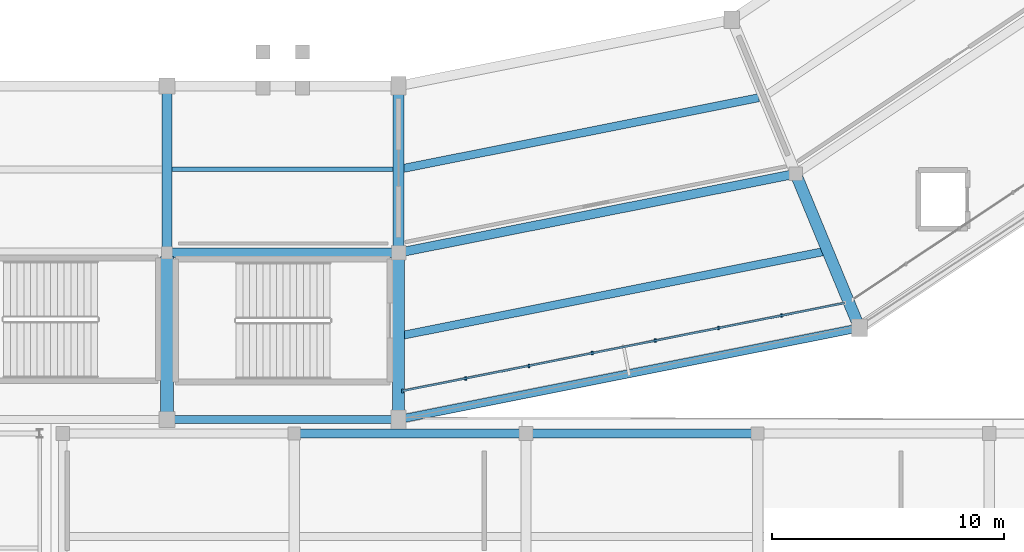
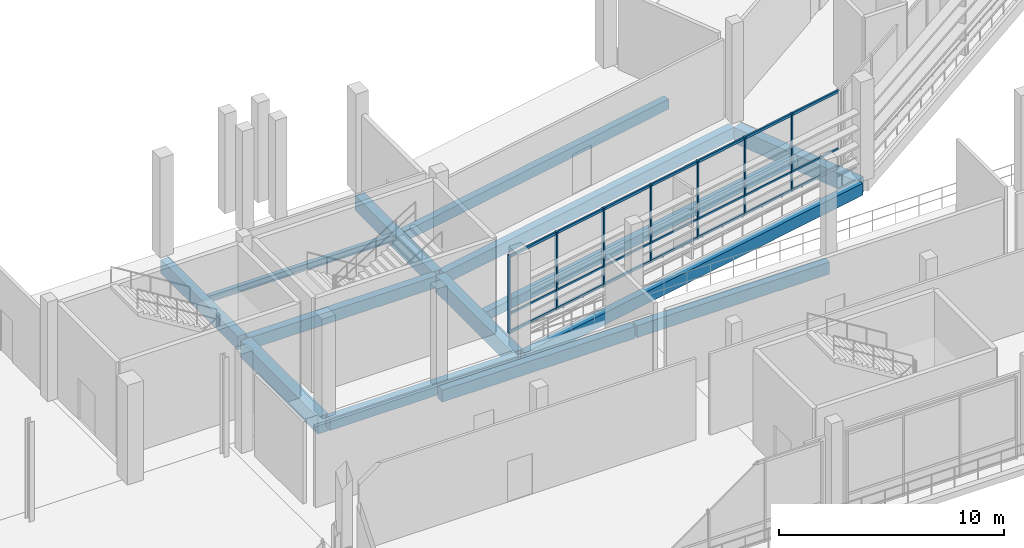
# One storey, part 32 of 111: 14 beams, 10 members, 1 element without a shape of its own.
"""IFC4 building model written with IfcOpenShell, lengths in metres."""

import ifcopenshell
import ifcopenshell.guid

model = None  # the IFC model being written
_history = None  # IfcOwnerHistory: only IFC2X3 demands one
_inside = {}  # id of a spatial element -> (the spatial element, [elements in it])
_under = {}  # id of a project, library or spatial element -> (it, [spatial elements below it])
_declared = {}  # id of a project -> (the project, [libraries it declares])
_typed = {}  # id of a type object -> (the type object, [elements of that type])
_made_of = {}  # id of a material, layer set ... -> (it, [elements and type objects made of it])


def new_model(schema):
    """Start an empty IFC model of exactly this schema.

    Asked for "IFC4X3", IfcOpenShell would pick the latest addendum, in which some entities
    have other attributes; the version numbers below select the first issue.
    IFC2X3 requires an IfcOwnerHistory on every rooted entity: one is made here for all.
    """
    global model, _history
    if schema == "IFC4X3":
        model = ifcopenshell.file(schema_version=(4, 3, 0, 0))
    else:
        model = ifcopenshell.file(schema=schema)
    _inside.clear()
    _under.clear()
    _declared.clear()
    _typed.clear()
    _made_of.clear()
    _history = None
    if model.schema == "IFC2X3":
        org = make("IfcOrganization", Name="unknown")
        user = make(
            "IfcPersonAndOrganization",
            ThePerson=make("IfcPerson", FamilyName="unknown"),
            TheOrganization=org,
        )
        app = make(
            "IfcApplication",
            ApplicationDeveloper=org,
            Version="unknown",
            ApplicationFullName="unknown",
            ApplicationIdentifier="unknown",
        )
        _history = make(
            "IfcOwnerHistory",
            OwningUser=user,
            OwningApplication=app,
            ChangeAction="ADDED",
            CreationDate=0,
        )
    return model


def make(cls, **values):
    """One entity of the class cls with the attributes given. An attribute that is None is left unset."""
    return model.create_entity(
        cls, **{name: value for name, value in values.items() if value is not None}
    )


def rooted(cls, **values):
    """An entity with a GlobalId (a new one), such as an element, a storey or a relation."""
    return make(cls, GlobalId=ifcopenshell.guid.new(), OwnerHistory=_history, **values)


def si_unit(unit_type, name, prefix=None):
    """IfcSIUnit, for example si_unit("LENGTHUNIT", "METRE", prefix="MILLI")."""
    return make("IfcSIUnit", UnitType=unit_type, Prefix=prefix, Name=name)


def assignment(units):
    """IfcUnitAssignment: the units of a project."""
    return None if units is None else make("IfcUnitAssignment", Units=units)


def point(xyz):
    """IfcCartesianPoint."""
    return None if xyz is None else make("IfcCartesianPoint", Coordinates=xyz)


def direction(xyz):
    """IfcDirection."""
    return None if xyz is None else make("IfcDirection", DirectionRatios=xyz)


def frame(location, z_axis=None, x_axis=None):
    """IfcAxis2Placement3D, a coordinate frame: its origin and axes. An axis left out is left unset."""
    return make(
        "IfcAxis2Placement3D",
        Location=point(location),
        Axis=direction(z_axis),
        RefDirection=direction(x_axis),
    )


def frame_2d(location, x_axis=None):
    """IfcAxis2Placement2D, a coordinate frame in the plane: its origin and x axis."""
    return make(
        "IfcAxis2Placement2D", Location=point(location), RefDirection=direction(x_axis)
    )


def origin():
    """The frame at (0, 0, 0) with its axes left unset."""
    return frame((0.0, 0.0, 0.0))


def origin_2d():
    """The frame at (0, 0) in the plane with its x axis left unset."""
    return frame_2d((0.0, 0.0))


def place(relative_to, where):
    """IfcLocalPlacement: puts the frame where relative to a parent placement (None: the world)."""
    return make(
        "IfcLocalPlacement", PlacementRelTo=relative_to, RelativePlacement=where
    )


def context(
    kind, dimensions, precision=None, world=None, true_north=None, identifier=None
):
    """IfcGeometricRepresentationContext, for example the 3D "Model" context."""
    return make(
        "IfcGeometricRepresentationContext",
        ContextIdentifier=identifier,
        ContextType=kind,
        CoordinateSpaceDimension=dimensions,
        Precision=precision,
        WorldCoordinateSystem=world,
        TrueNorth=true_north,
    )


def subcontext(parent, identifier, kind, view, scale=None):
    """IfcGeometricRepresentationSubContext, for example "Body" below "Model"."""
    return make(
        "IfcGeometricRepresentationSubContext",
        ContextIdentifier=identifier,
        ContextType=kind,
        ParentContext=parent,
        TargetScale=scale,
        TargetView=view,
    )


def project(units=None, contexts=None):
    """IfcProject with its units and contexts."""
    return rooted(
        "IfcProject",
        Name="project",
        RepresentationContexts=contexts,
        UnitsInContext=assignment(units),
    )


def spatial(cls, under=None, at=None, **own):
    """A site, building, storey or space (cls), placed at a placement, below another one or the project."""
    s = rooted(cls, ObjectPlacement=at, **own)
    if under is not None:
        _under.setdefault(under.id(), (under, []))[1].append(s)
    return s


def profile(cls, at=None, kind="AREA", **sizes):
    """A parametric profile (cls). Its sizes go by their IFC names, for example OverallWidth=200.0."""
    return make(cls, ProfileType=kind, Position=at, **sizes)


def rectangle(**sizes):
    """IfcRectangleProfileDef."""
    return profile("IfcRectangleProfileDef", **sizes)


def i_section(**sizes):
    """IfcIShapeProfileDef."""
    return profile("IfcIShapeProfileDef", **sizes)


def extrude(swept, where, along, depth):
    """IfcExtrudedAreaSolid: the profile swept, set in the frame where, extruded along a direction by depth."""
    return make(
        "IfcExtrudedAreaSolid",
        SweptArea=swept,
        Position=where,
        ExtrudedDirection=direction(along),
        Depth=depth,
    )


def shape(context_of_items, identifier, shape_type, items):
    """IfcShapeRepresentation: the items that make up one representation, for example the "Body"."""
    return make(
        "IfcShapeRepresentation",
        ContextOfItems=context_of_items,
        RepresentationIdentifier=identifier,
        RepresentationType=shape_type,
        Items=items,
    )


def material(Name=None, Category=None):
    """IfcMaterial."""
    return make("IfcMaterial", Name=Name, Category=Category)


def material_profile(
    of_material, cross_section, Name=None, Category=None, Priority=None
):
    """IfcMaterialProfile: a cross section and its material."""
    return make(
        "IfcMaterialProfile",
        Name=Name,
        Material=of_material,
        Profile=cross_section,
        Priority=Priority,
        Category=Category,
    )


def profile_set(profiles, Name=None, composite=None):
    """IfcMaterialProfileSet."""
    return make(
        "IfcMaterialProfileSet",
        Name=Name,
        MaterialProfiles=profiles,
        CompositeProfile=composite,
    )


def made_of(thing, what):
    """Note that an element or type object is made of a material, layer set ...; save() writes the relation."""
    if what is not None:
        _made_of.setdefault(what.id(), (what, []))[1].append(thing)
    return thing


def type_object(cls, material=None, **own):
    """A type object (cls), such as IfcWallType, which elements share."""
    return made_of(rooted(cls, **own), material)


def element(
    cls,
    number,
    at=None,
    inside=None,
    cuts=None,
    type_object=None,
    material=None,
    context=None,
    identifier="Body",
    shape_type=None,
    held_by="IfcProductDefinitionShape",
    body=None,
    shapes=None,
    **own,
):
    """One element of the class cls, such as IfcWall. Its Tag is "e" and its number.

    at: its placement. inside: the storey or other place that contains it. cuts: it is an
    opening in that element (IfcRelVoidsElement). A single representation is given by context,
    identifier, shape_type and body (its items); several are given by shapes. held_by: the class
    of the entity that holds the representations. save() writes the other relations.
    """
    e = rooted(cls, Tag="e%d" % number, ObjectPlacement=at, **own)
    if body is not None:
        shapes = [shape(context, identifier, shape_type, body)]
    if shapes is not None:
        e.Representation = make(held_by, Representations=shapes)
    if inside is not None:
        _inside.setdefault(inside.id(), (inside, []))[1].append(e)
    if cuts is not None:
        rooted(
            "IfcRelVoidsElement", RelatingBuildingElement=cuts, RelatedOpeningElement=e
        )
    if type_object is not None:
        _typed.setdefault(type_object.id(), (type_object, []))[1].append(e)
    return made_of(e, material)


def aggregate(whole, parts):
    """IfcRelAggregates: a whole, such as a stair, and the parts it consists of."""
    return rooted("IfcRelAggregates", RelatingObject=whole, RelatedObjects=parts)


def save(model, path):
    """Write the relations noted so far, then the file.

    IfcRelAggregates (storeys below a building ...), IfcRelContainedInSpatialStructure (elements
    in a storey), IfcRelDefinesByType, IfcRelAssociatesMaterial and IfcRelDeclares: one each for
    every whole, place, type object, material and project.
    """
    for whole, parts in _under.values():
        aggregate(whole, parts)
    for where, things in _inside.values():
        rooted(
            "IfcRelContainedInSpatialStructure",
            RelatedElements=things,
            RelatingStructure=where,
        )
    for kind, things in _typed.values():
        rooted("IfcRelDefinesByType", RelatedObjects=things, RelatingType=kind)
    for what, things in _made_of.values():
        rooted("IfcRelAssociatesMaterial", RelatedObjects=things, RelatingMaterial=what)
    for by, libraries in _declared.values():
        rooted("IfcRelDeclares", RelatingContext=by, RelatedDefinitions=libraries)
    model.write(path)


model = new_model("IFC4")

# Units and contexts
model_context = context("Model", 3, precision=1e-05, world=origin(), true_north=direction((0.0, 1.0)))
body_context = subcontext(model_context, "Body", "Model", "MODEL_VIEW")
ifc_project = project(units=[si_unit("LENGTHUNIT", "METRE"), si_unit("AREAUNIT", "SQUARE_METRE"), si_unit("VOLUMEUNIT", "CUBIC_METRE"), si_unit("PLANEANGLEUNIT", "RADIAN"), si_unit("MASSUNIT", "GRAM", prefix="KILO")], contexts=[model_context])

# Site, building, storey
site_placement = place(None, origin())
site = spatial("IfcSite", under=ifc_project, at=site_placement, CompositionType="ELEMENT")
building_placement = place(site_placement, origin())
building = spatial("IfcBuilding", under=site, at=building_placement, Name="Candeia Ridge Stadium", CompositionType="ELEMENT")
storey_placement = place(building_placement, frame((0.0, 0.0, 16.199951171875)))
storey = spatial("IfcBuildingStorey", under=building, at=storey_placement, Name="L03", CompositionType="ELEMENT", Elevation=16.199951171875)

# Beams
ifc_material_1 = material(Name="Concrete C40/50", Category="concrete")
ifc_material_profile_1 = material_profile(ifc_material_1, rectangle(XDim=0.35009765625, YDim=0.550048828125, at=origin_2d()), Name="RC350x550", Category="concrete")
ifc_profile_set_1 = profile_set([ifc_material_profile_1], Name="Concrete C40/50")
beam_type_1 = type_object("IfcBeamType", Name="Concourse Concrete Joist RC350x550", PredefinedType="JOIST", material=ifc_profile_set_1)
beam_1_placement = place(storey_placement, frame((141.2177734375, 29.84326171875, -0.52490234375), z_axis=(0.980784984607, 0.195091809076, 0.0), x_axis=(-0.195091809076, 0.980784984607, 0.0)))
element("IfcBeam", 1, at=beam_1_placement, inside=storey, type_object=beam_type_1, Name="Concourse secondary joist BM-L03-0671", PredefinedType="JOIST", context=body_context, shape_type="SweptSolid", body=[
    extrude(rectangle(XDim=0.35009765625, YDim=0.550048828125, at=origin_2d()), origin(), (0.0, 0.0, 1.0), 15.63134765625),
])
ifc_material_2 = material(Name="Steel ASTM A572 Grade 50", Category="steel")
ifc_material_profile_2 = material_profile(ifc_material_2, i_section(OverallWidth=0.205078125, OverallDepth=0.35400390625, WebThickness=0.009521484375, FlangeThickness=0.016845703125, FilletRadius=0.014892578125, at=origin_2d()), Name="W360x79", Category="steel")
ifc_profile_set_2 = profile_set([ifc_material_profile_2], Name="Steel ASTM A572 Grade 50")
beam_type_2 = type_object("IfcBeamType", Name="Concourse Secondary Joist W360x79", PredefinedType="JOIST", material=ifc_profile_set_2)
beam_2_placement = place(storey_placement, frame((131.221923828125, 29.800048828125, -0.427001953125), z_axis=(1.0, 0.0, 0.0), x_axis=(0.0, 1.0, 0.0)))
element("IfcBeam", 2, at=beam_2_placement, inside=storey, type_object=beam_type_2, Name="Concourse secondary joist BM-L03-0667", PredefinedType="JOIST", context=body_context, shape_type="SweptSolid", body=[
    extrude(i_section(OverallWidth=0.205078125, OverallDepth=0.35400390625, WebThickness=0.009521484375, FlangeThickness=0.016845703125, FilletRadius=0.014892578125, at=origin_2d()), origin(), (0.0, 0.0, 1.0), 9.55615234375),
])

# Curtain wall, members
ifc_material_3 = material(Name="Aluminium Anodized Warm Bronze", Category="aluminium")
curtain_wall_type = type_object("IfcCurtainWallType", Name="Concourse Recessed Unitised Curtain Wall", PredefinedType="NOTDEFINED", material=ifc_material_3)
curtain_wall_placement = place(storey_placement, origin())
curtain_wall = element("IfcCurtainWall", 3, at=curtain_wall_placement, inside=storey, type_object=curtain_wall_type, Name="Unitised curtain wall CW-BWL-L03-25", PredefinedType="NOTDEFINED")
ifc_material_profile_3 = material_profile(ifc_material_3, rectangle(XDim=0.090087890625, YDim=0.179931640625, at=origin_2d()), Name="CWM-90x180", Category="aluminium")
ifc_profile_set_3 = profile_set([ifc_material_profile_3], Name="Aluminium Anodized Warm Bronze")
member_type_1 = type_object("IfcMemberType", Name="Curtain Wall Primary Mullion 90x180", PredefinedType="MULLION", material=ifc_profile_set_3)
member_1_placement = place(storey_placement, frame((141.176513671875, 20.235107421875, 0.0), z_axis=(0.0, 0.0, 1.0), x_axis=(1.0, 0.0, 0.0)))
member_1 = element("IfcMember", 4, at=member_1_placement, type_object=member_type_1, Name="Curtain wall mullion CW-BWL-L03-25-M0", PredefinedType="MULLION", context=body_context, shape_type="SweptSolid", body=[
    extrude(rectangle(XDim=0.090087890625, YDim=0.179931640625, at=origin_2d()), origin(), (0.0, 0.0, 1.0), 4.2451171875),
])
ifc_material_profile_4 = material_profile(ifc_material_3, rectangle(XDim=0.074951171875, YDim=0.14990234375, at=origin_2d()), Name="CWM-75x150", Category="aluminium")
ifc_profile_set_4 = profile_set([ifc_material_profile_4], Name="Aluminium Anodized Warm Bronze")
member_type_2 = type_object("IfcMemberType", Name="Curtain Wall Secondary Mullion 75x150", PredefinedType="MULLION", material=ifc_profile_set_4)
member_2_placement = place(storey_placement, frame((143.9033203125, 20.777587890625, 0.0), z_axis=(0.0, 0.0, 1.0), x_axis=(1.0, 0.0, 0.0)))
member_2 = element("IfcMember", 5, at=member_2_placement, type_object=member_type_2, Name="Curtain wall mullion CW-BWL-L03-25-M1", PredefinedType="MULLION", context=body_context, shape_type="SweptSolid", body=[
    extrude(rectangle(XDim=0.074951171875, YDim=0.14990234375, at=origin_2d()), origin(), (0.0, 0.0, 1.0), 4.2451171875),
])
member_3_placement = place(storey_placement, frame((146.6298828125, 21.31982421875, 0.0), z_axis=(0.0, 0.0, 1.0), x_axis=(1.0, 0.0, 0.0)))
member_3 = element("IfcMember", 6, at=member_3_placement, type_object=member_type_2, Name="Curtain wall mullion CW-BWL-L03-25-M2", PredefinedType="MULLION", context=body_context, shape_type="SweptSolid", body=[
    extrude(rectangle(XDim=0.074951171875, YDim=0.14990234375, at=origin_2d()), origin(), (0.0, 0.0, 1.0), 4.2451171875),
])
member_4_placement = place(storey_placement, frame((149.356689453125, 21.8623046875, 0.0), z_axis=(0.0, 0.0, 1.0), x_axis=(1.0, 0.0, 0.0)))
member_4 = element("IfcMember", 7, at=member_4_placement, type_object=member_type_2, Name="Curtain wall mullion CW-BWL-L03-25-M3", PredefinedType="MULLION", context=body_context, shape_type="SweptSolid", body=[
    extrude(rectangle(XDim=0.074951171875, YDim=0.14990234375, at=origin_2d()), origin(), (0.0, 0.0, 1.0), 4.2451171875),
])
member_5_placement = place(storey_placement, frame((152.08349609375, 22.404541015625, 0.0), z_axis=(0.0, 0.0, 1.0), x_axis=(1.0, 0.0, 0.0)))
member_5 = element("IfcMember", 8, at=member_5_placement, type_object=member_type_2, Name="Curtain wall mullion CW-BWL-L03-25-M4", PredefinedType="MULLION", context=body_context, shape_type="SweptSolid", body=[
    extrude(rectangle(XDim=0.074951171875, YDim=0.14990234375, at=origin_2d()), origin(), (0.0, 0.0, 1.0), 4.2451171875),
])
member_6_placement = place(storey_placement, frame((154.810302734375, 22.947021484375, 0.0), z_axis=(0.0, 0.0, 1.0), x_axis=(1.0, 0.0, 0.0)))
member_6 = element("IfcMember", 9, at=member_6_placement, type_object=member_type_2, Name="Curtain wall mullion CW-BWL-L03-25-M5", PredefinedType="MULLION", context=body_context, shape_type="SweptSolid", body=[
    extrude(rectangle(XDim=0.074951171875, YDim=0.14990234375, at=origin_2d()), origin(), (0.0, 0.0, 1.0), 4.2451171875),
])
member_7_placement = place(storey_placement, frame((157.537109375, 23.489501953125, 0.0), z_axis=(0.0, 0.0, 1.0), x_axis=(1.0, 0.0, 0.0)))
member_7 = element("IfcMember", 10, at=member_7_placement, type_object=member_type_2, Name="Curtain wall mullion CW-BWL-L03-25-M6", PredefinedType="MULLION", context=body_context, shape_type="SweptSolid", body=[
    extrude(rectangle(XDim=0.074951171875, YDim=0.14990234375, at=origin_2d()), origin(), (0.0, 0.0, 1.0), 4.2451171875),
])
ifc_material_profile_5 = material_profile(ifc_material_3, rectangle(XDim=0.074951171875, YDim=0.110107421875, at=origin_2d()), Name="CWT-75x110", Category="aluminium")
ifc_profile_set_5 = profile_set([ifc_material_profile_5], Name="Aluminium Anodized Warm Bronze")
member_type_3 = type_object("IfcMemberType", Name="Curtain Wall Secondary Transom 75x110", PredefinedType="USERDEFINED", material=ifc_profile_set_5)
member_8_placement = place(storey_placement, frame((141.176513671875, 20.235107421875, 1.061279296875), z_axis=(0.980786160623, 0.195085896803, 0.0), x_axis=(-0.195085896803, 0.980786160623, 0.0)))
member_8 = element("IfcMember", 11, at=member_8_placement, type_object=member_type_3, Name="Curtain wall transom CW-BWL-L03-25-T1", ObjectType="TRANSOM", PredefinedType="USERDEFINED", context=body_context, shape_type="SweptSolid", body=[
    extrude(rectangle(XDim=0.074951171875, YDim=0.110107421875, at=origin_2d()), origin(), (0.0, 0.0, 1.0), 19.46142578125),
])
ifc_material_profile_6 = material_profile(ifc_material_3, rectangle(XDim=0.090087890625, YDim=0.139892578125, at=origin_2d()), Name="CWT-90x140", Category="aluminium")
ifc_profile_set_6 = profile_set([ifc_material_profile_6], Name="Aluminium Anodized Warm Bronze")
member_type_4 = type_object("IfcMemberType", Name="Curtain Wall Transom 90x140", PredefinedType="USERDEFINED", material=ifc_profile_set_6)
member_9_placement = place(storey_placement, frame((141.176513671875, 20.235107421875, 0.070068359375), z_axis=(0.980786160623, 0.195085896803, 0.0), x_axis=(-0.195085896803, 0.980786160623, 0.0)))
member_9 = element("IfcMember", 12, at=member_9_placement, type_object=member_type_4, Name="Curtain wall transom CW-BWL-L03-25-T0", ObjectType="TRANSOM", PredefinedType="USERDEFINED", context=body_context, shape_type="SweptSolid", body=[
    extrude(rectangle(XDim=0.090087890625, YDim=0.139892578125, at=origin_2d()), origin(), (0.0, 0.0, 1.0), 19.46142578125),
])
member_10_placement = place(storey_placement, frame((141.176513671875, 20.235107421875, 4.175048828125), z_axis=(0.980786160623, 0.195085896803, 0.0), x_axis=(-0.195085896803, 0.980786160623, 0.0)))
member_10 = element("IfcMember", 13, at=member_10_placement, type_object=member_type_4, Name="Curtain wall transom CW-BWL-L03-25-T2", ObjectType="TRANSOM", PredefinedType="USERDEFINED", context=body_context, shape_type="SweptSolid", body=[
    extrude(rectangle(XDim=0.090087890625, YDim=0.139892578125, at=origin_2d()), origin(), (0.0, 0.0, 1.0), 19.46142578125),
])
aggregate(curtain_wall, [member_1, member_2, member_3, member_4, member_5, member_6, member_7, member_9, member_8, member_10])

# Beams
ifc_material_profile_7 = material_profile(ifc_material_1, rectangle(XDim=0.35009765625, YDim=0.5, at=origin_2d()), Name="RC350x500", Category="concrete")
ifc_profile_set_7 = profile_set([ifc_material_profile_7], Name="Concrete C40/50")
beam_type_3 = type_object("IfcBeamType", Name="Floor Joist RC350x500", PredefinedType="JOIST", material=ifc_profile_set_7)
beam_3_placement = place(storey_placement, frame((141.2177734375, 22.643310546875, -0.5), z_axis=(0.980784839623, 0.195092537954, 0.0), x_axis=(-0.195092537954, 0.980784839623, 0.0)))
element("IfcBeam", 14, at=beam_3_placement, inside=storey, type_object=beam_type_3, Name="Concourse secondary joist BM-L03-0672", PredefinedType="JOIST", context=body_context, shape_type="SweptSolid", body=[
    extrude(rectangle(XDim=0.35009765625, YDim=0.5, at=origin_2d()), origin(), (0.0, 0.0, 1.0), 18.440673828125),
])
ifc_material_profile_8 = material_profile(ifc_material_1, rectangle(XDim=0.389892578125, YDim=0.639892578125, at=origin_2d()), Name="RC390x640", Category="concrete")
ifc_profile_set_8 = profile_set([ifc_material_profile_8], Name="Concrete C40/50")
beam_type_4 = type_object("IfcBeamType", Name="Frame Girder RC390x640", PredefinedType="BEAM", material=ifc_profile_set_8)
beam_4_placement = place(storey_placement, frame((131.159912109375, 26.199951171875, -0.570068359375), z_axis=(1.0, 0.0, 0.0), x_axis=(0.0, 1.0, 0.0)))
element("IfcBeam", 15, at=beam_4_placement, inside=storey, type_object=beam_type_4, Name="Concourse spine girder BM-L03-0665", PredefinedType="BEAM", context=body_context, shape_type="SweptSolid", body=[
    extrude(rectangle(XDim=0.389892578125, YDim=0.639892578125, at=origin_2d()), origin(), (0.0, 0.0, 1.0), 9.68017578125),
])
beam_5_placement = place(storey_placement, frame((141.156982421875, 26.231201171875, -0.570068359375), z_axis=(0.980783706548, 0.195098234154, 0.0), x_axis=(-0.195098234154, 0.980783706548, 0.0)))
element("IfcBeam", 16, at=beam_5_placement, inside=storey, type_object=beam_type_4, Name="Concourse spine girder BM-L03-0669", PredefinedType="BEAM", context=body_context, shape_type="SweptSolid", body=[
    extrude(rectangle(XDim=0.389892578125, YDim=0.639892578125, at=origin_2d()), origin(), (0.0, 0.0, 1.0), 17.16015625),
])
ifc_material_profile_9 = material_profile(ifc_material_1, rectangle(XDim=0.429931640625, YDim=0.739990234375, at=origin_2d()), Name="RC430x740", Category="concrete")
ifc_profile_set_9 = profile_set([ifc_material_profile_9], Name="Concrete C40/50")
beam_type_5 = type_object("IfcBeamType", Name="Frame Girder RC430x740", PredefinedType="BEAM", material=ifc_profile_set_9)
beam_6_placement = place(storey_placement, frame((131.0, 33.239990234375, -0.619873046875), z_axis=(0.0, -1.0, 0.0), x_axis=(1.0, 0.0, 0.0)))
element("IfcBeam", 17, at=beam_6_placement, inside=storey, type_object=beam_type_5, Name="Bowl radial girder BM-L03-0529", PredefinedType="BEAM", context=body_context, shape_type="SweptSolid", body=[
    extrude(rectangle(XDim=0.429931640625, YDim=0.739990234375, at=origin_2d()), origin(), (0.0, 0.0, 1.0), 6.8798828125),
])
ifc_material_4 = material(Name="Concrete C45/55", Category="concrete")
ifc_material_profile_10 = material_profile(ifc_material_4, rectangle(XDim=0.47998046875, YDim=0.820068359375, at=origin_2d()), Name="RC480x820", Category="concrete")
ifc_profile_set_10 = profile_set([ifc_material_profile_10], Name="Concrete C45/55")
beam_type_6 = type_object("IfcBeamType", Name="Frame Girder RC480x820", PredefinedType="BEAM", material=ifc_profile_set_10)
beam_7_placement = place(storey_placement, frame((141.0, 33.239990234375, -0.659912109375), z_axis=(0.0, -1.0, 0.0), x_axis=(1.0, 0.0, 0.0)))
element("IfcBeam", 18, at=beam_7_placement, inside=storey, type_object=beam_type_6, Name="Bowl radial girder BM-L03-0531", PredefinedType="BEAM", context=body_context, shape_type="SweptSolid", body=[
    extrude(rectangle(XDim=0.47998046875, YDim=0.820068359375, at=origin_2d()), origin(), (0.0, 0.0, 1.0), 6.8798828125),
])
ifc_material_profile_11 = material_profile(ifc_material_4, rectangle(XDim=0.5, YDim=0.85009765625, at=origin_2d()), Name="RC500x850", Category="concrete")
ifc_profile_set_11 = profile_set([ifc_material_profile_11], Name="Concrete C45/55")
beam_type_7 = type_object("IfcBeamType", Name="Frame Girder RC500x850", PredefinedType="BEAM", material=ifc_profile_set_11)
beam_8_placement = place(storey_placement, frame((158.20556640625, 29.46240234375, -0.675048828125), z_axis=(0.382681914982, -0.923880161031, 0.0), x_axis=(0.923880161031, 0.382681914982, 0.0)))
element("IfcBeam", 19, at=beam_8_placement, inside=storey, type_object=beam_type_7, Name="Bowl radial girder BM-L03-0534", PredefinedType="BEAM", context=body_context, shape_type="SweptSolid", body=[
    extrude(rectangle(XDim=0.5, YDim=0.85009765625, at=origin_2d()), origin(), (0.0, 0.0, 1.0), 6.8798828125),
])
ifc_material_profile_12 = material_profile(ifc_material_4, rectangle(XDim=0.52001953125, YDim=0.8798828125, at=origin_2d()), Name="RC520x880", Category="concrete")
ifc_profile_set_12 = profile_set([ifc_material_profile_12], Name="Concrete C45/55")
beam_type_8 = type_object("IfcBeamType", Name="Frame Girder RC520x880", PredefinedType="BEAM", material=ifc_profile_set_12)
beam_9_placement = place(storey_placement, frame((141.0, 26.0400390625, -0.68994140625), z_axis=(0.0, -1.0, 0.0), x_axis=(1.0, 0.0, 0.0)))
element("IfcBeam", 20, at=beam_9_placement, inside=storey, type_object=beam_type_8, Name="Bowl radial girder BM-L03-0532", PredefinedType="BEAM", context=body_context, shape_type="SweptSolid", body=[
    extrude(rectangle(XDim=0.52001953125, YDim=0.8798828125, at=origin_2d()), origin(), (0.0, 0.0, 1.0), 6.880126953125),
])
ifc_material_profile_13 = material_profile(ifc_material_4, rectangle(XDim=0.550048828125, YDim=0.919921875, at=origin_2d()), Name="RC550x920", Category="concrete")
ifc_profile_set_13 = profile_set([ifc_material_profile_13], Name="Concrete C45/55")
beam_type_9 = type_object("IfcBeamType", Name="Frame Girder RC550x920", PredefinedType="BEAM", material=ifc_profile_set_13)
beam_10_placement = place(storey_placement, frame((131.0, 26.0400390625, -0.7099609375), z_axis=(0.0, -1.0, 0.0), x_axis=(1.0, 0.0, 0.0)))
element("IfcBeam", 21, at=beam_10_placement, inside=storey, type_object=beam_type_9, Name="Bowl radial girder BM-L03-0530", PredefinedType="BEAM", context=body_context, shape_type="SweptSolid", body=[
    extrude(rectangle(XDim=0.550048828125, YDim=0.919921875, at=origin_2d()), origin(), (0.0, 0.0, 1.0), 6.880126953125),
])
ifc_material_profile_14 = material_profile(ifc_material_1, rectangle(XDim=0.340087890625, YDim=0.679931640625, at=origin_2d()), Name="RC340x680", Category="concrete")
ifc_profile_set_14 = profile_set([ifc_material_profile_14], Name="Concrete C40/50")
beam_type_10 = type_object("IfcBeamType", Name="Spandrel Beam RC340x680", PredefinedType="SPANDREL", material=ifc_profile_set_14)
beam_11_placement = place(storey_placement, frame((131.159912109375, 19.0, -0.58984375), z_axis=(1.0, 0.0, 0.0), x_axis=(0.0, 1.0, 0.0)))
element("IfcBeam", 22, at=beam_11_placement, inside=storey, type_object=beam_type_10, Name="Bowl perimeter spandrel BM-L03-0666", PredefinedType="SPANDREL", context=body_context, shape_type="SweptSolid", body=[
    extrude(rectangle(XDim=0.340087890625, YDim=0.679931640625, at=origin_2d()), origin(), (0.0, 0.0, 1.0), 9.68017578125),
])
ifc_material_profile_15 = material_profile(ifc_material_1, rectangle(XDim=0.35009765625, YDim=0.64990234375, at=origin_2d()), Name="RC350x650", Category="concrete")
ifc_profile_set_15 = profile_set([ifc_material_profile_15], Name="Concrete C40/50")
beam_type_11 = type_object("IfcBeamType", Name="Spandrel Beam RC350x650", PredefinedType="SPANDREL", material=ifc_profile_set_15)
beam_12_placement = place(storey_placement, frame((141.156982421875, 19.03125, -0.574951171875), z_axis=(0.980786091775, 0.195086242929, 0.0), x_axis=(-0.195086242929, 0.980786091775, 0.0)))
element("IfcBeam", 23, at=beam_12_placement, inside=storey, type_object=beam_type_11, Name="Bowl perimeter spandrel BM-L03-0670", PredefinedType="SPANDREL", context=body_context, shape_type="SweptSolid", body=[
    extrude(rectangle(XDim=0.35009765625, YDim=0.64990234375, at=origin_2d()), origin(), (0.0, 0.0, 1.0), 19.969482421875),
])
ifc_material_profile_16 = material_profile(ifc_material_1, rectangle(XDim=0.39990234375, YDim=0.64990234375, at=origin_2d()), Name="RC400x650", Category="concrete")
ifc_profile_set_16 = profile_set([ifc_material_profile_16], Name="Concrete C40/50")
beam_type_12 = type_object("IfcBeamType", Name="Wing Primary Girder RC400x650", PredefinedType="BEAM", material=ifc_profile_set_16)
for number, where, z_axis, x_axis, name in (
    (24, (136.550048828125, 18.39990234375, -0.574951171875), (1.0, 0.0, 0.0), (0.0, 1.0, 0.0), "Structural girder BM-L03-2339"),
    (25, (146.550048828125, 18.39990234375, -0.574951171875), (1.0, 0.0, 0.0), (0.0, 1.0, 0.0), "Structural girder BM-L03-2343"),
):
    element("IfcBeam", number, at=place(storey_placement, frame(where, z_axis=z_axis, x_axis=x_axis)), inside=storey, type_object=beam_type_12, Name=name, PredefinedType="BEAM", context=body_context, shape_type="SweptSolid", body=[
        extrude(rectangle(XDim=0.39990234375, YDim=0.64990234375, at=origin_2d()), origin(), (0.0, 0.0, 1.0), 9.89990234375),
    ])

save(model, "model.ifc")
